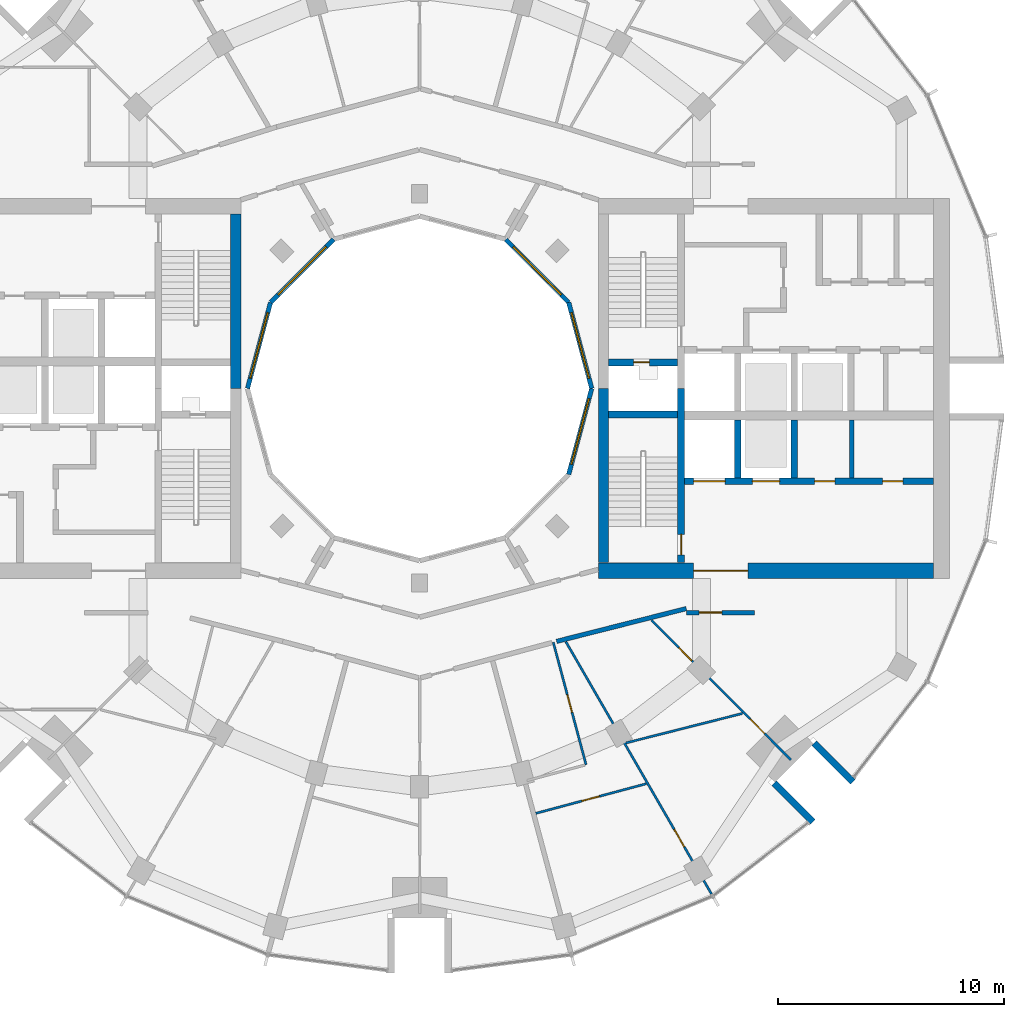
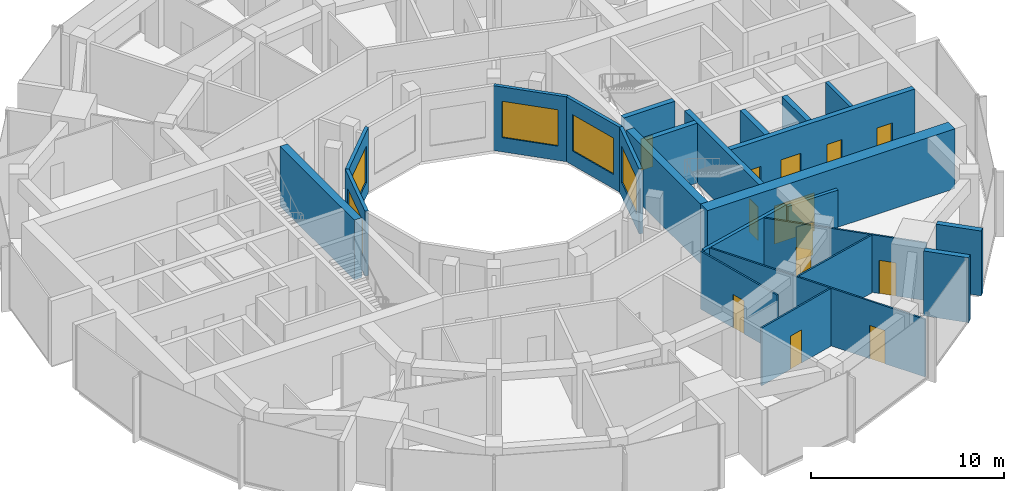
# One storey, part 10 of 15: 24 walls, 13 doors, 5 windows, 18 openings.
"""IFC4 building model written with IfcOpenShell, lengths in metres."""

import ifcopenshell
import ifcopenshell.guid

model = None  # the IFC model being written
_history = None  # IfcOwnerHistory: only IFC2X3 demands one
_inside = {}  # id of a spatial element -> (the spatial element, [elements in it])
_under = {}  # id of a project, library or spatial element -> (it, [spatial elements below it])
_declared = {}  # id of a project -> (the project, [libraries it declares])
_typed = {}  # id of a type object -> (the type object, [elements of that type])
_made_of = {}  # id of a material, layer set ... -> (it, [elements and type objects made of it])


def new_model(schema):
    """Start an empty IFC model of exactly this schema.

    Asked for "IFC4X3", IfcOpenShell would pick the latest addendum, in which some entities
    have other attributes; the version numbers below select the first issue.
    IFC2X3 requires an IfcOwnerHistory on every rooted entity: one is made here for all.
    """
    global model, _history
    if schema == "IFC4X3":
        model = ifcopenshell.file(schema_version=(4, 3, 0, 0))
    else:
        model = ifcopenshell.file(schema=schema)
    _inside.clear()
    _under.clear()
    _declared.clear()
    _typed.clear()
    _made_of.clear()
    _history = None
    if model.schema == "IFC2X3":
        org = make("IfcOrganization", Name="unknown")
        user = make(
            "IfcPersonAndOrganization",
            ThePerson=make("IfcPerson", FamilyName="unknown"),
            TheOrganization=org,
        )
        app = make(
            "IfcApplication",
            ApplicationDeveloper=org,
            Version="unknown",
            ApplicationFullName="unknown",
            ApplicationIdentifier="unknown",
        )
        _history = make(
            "IfcOwnerHistory",
            OwningUser=user,
            OwningApplication=app,
            ChangeAction="ADDED",
            CreationDate=0,
        )
    return model


def make(cls, **values):
    """One entity of the class cls with the attributes given. An attribute that is None is left unset."""
    return model.create_entity(
        cls, **{name: value for name, value in values.items() if value is not None}
    )


def rooted(cls, **values):
    """An entity with a GlobalId (a new one), such as an element, a storey or a relation."""
    return make(cls, GlobalId=ifcopenshell.guid.new(), OwnerHistory=_history, **values)


def si_unit(unit_type, name, prefix=None):
    """IfcSIUnit, for example si_unit("LENGTHUNIT", "METRE", prefix="MILLI")."""
    return make("IfcSIUnit", UnitType=unit_type, Prefix=prefix, Name=name)


def assignment(units):
    """IfcUnitAssignment: the units of a project."""
    return None if units is None else make("IfcUnitAssignment", Units=units)


def point(xyz):
    """IfcCartesianPoint."""
    return None if xyz is None else make("IfcCartesianPoint", Coordinates=xyz)


def direction(xyz):
    """IfcDirection."""
    return None if xyz is None else make("IfcDirection", DirectionRatios=xyz)


def frame(location, z_axis=None, x_axis=None):
    """IfcAxis2Placement3D, a coordinate frame: its origin and axes. An axis left out is left unset."""
    return make(
        "IfcAxis2Placement3D",
        Location=point(location),
        Axis=direction(z_axis),
        RefDirection=direction(x_axis),
    )


def frame_2d(location, x_axis=None):
    """IfcAxis2Placement2D, a coordinate frame in the plane: its origin and x axis."""
    return make(
        "IfcAxis2Placement2D", Location=point(location), RefDirection=direction(x_axis)
    )


def origin():
    """The frame at (0, 0, 0) with its axes left unset."""
    return frame((0.0, 0.0, 0.0))


def place(relative_to, where):
    """IfcLocalPlacement: puts the frame where relative to a parent placement (None: the world)."""
    return make(
        "IfcLocalPlacement", PlacementRelTo=relative_to, RelativePlacement=where
    )


def context(
    kind, dimensions, precision=None, world=None, true_north=None, identifier=None
):
    """IfcGeometricRepresentationContext, for example the 3D "Model" context."""
    return make(
        "IfcGeometricRepresentationContext",
        ContextIdentifier=identifier,
        ContextType=kind,
        CoordinateSpaceDimension=dimensions,
        Precision=precision,
        WorldCoordinateSystem=world,
        TrueNorth=true_north,
    )


def subcontext(parent, identifier, kind, view, scale=None):
    """IfcGeometricRepresentationSubContext, for example "Body" below "Model"."""
    return make(
        "IfcGeometricRepresentationSubContext",
        ContextIdentifier=identifier,
        ContextType=kind,
        ParentContext=parent,
        TargetScale=scale,
        TargetView=view,
    )


def project(units=None, contexts=None):
    """IfcProject with its units and contexts."""
    return rooted(
        "IfcProject",
        Name="project",
        RepresentationContexts=contexts,
        UnitsInContext=assignment(units),
    )


def spatial(cls, under=None, at=None, **own):
    """A site, building, storey or space (cls), placed at a placement, below another one or the project."""
    s = rooted(cls, ObjectPlacement=at, **own)
    if under is not None:
        _under.setdefault(under.id(), (under, []))[1].append(s)
    return s


def profile(cls, at=None, kind="AREA", **sizes):
    """A parametric profile (cls). Its sizes go by their IFC names, for example OverallWidth=200.0."""
    return make(cls, ProfileType=kind, Position=at, **sizes)


def rectangle(**sizes):
    """IfcRectangleProfileDef."""
    return profile("IfcRectangleProfileDef", **sizes)


def extrude(swept, where, along, depth):
    """IfcExtrudedAreaSolid: the profile swept, set in the frame where, extruded along a direction by depth."""
    return make(
        "IfcExtrudedAreaSolid",
        SweptArea=swept,
        Position=where,
        ExtrudedDirection=direction(along),
        Depth=depth,
    )


def shape(context_of_items, identifier, shape_type, items):
    """IfcShapeRepresentation: the items that make up one representation, for example the "Body"."""
    return make(
        "IfcShapeRepresentation",
        ContextOfItems=context_of_items,
        RepresentationIdentifier=identifier,
        RepresentationType=shape_type,
        Items=items,
    )


def material(Name=None, Category=None):
    """IfcMaterial."""
    return make("IfcMaterial", Name=Name, Category=Category)


def layer(
    of_material, thickness, ventilated=None, Name=None, Category=None, Priority=None
):
    """IfcMaterialLayer: one layer of a wall or slab, of a material (None: an air gap)."""
    return make(
        "IfcMaterialLayer",
        Material=of_material,
        LayerThickness=thickness,
        IsVentilated=ventilated,
        Name=Name,
        Category=Category,
        Priority=Priority,
    )


def layer_set(layers, Name=None):
    """IfcMaterialLayerSet."""
    return make("IfcMaterialLayerSet", MaterialLayers=layers, LayerSetName=Name)


def made_of(thing, what):
    """Note that an element or type object is made of a material, layer set ...; save() writes the relation."""
    if what is not None:
        _made_of.setdefault(what.id(), (what, []))[1].append(thing)
    return thing


def type_object(cls, material=None, **own):
    """A type object (cls), such as IfcWallType, which elements share."""
    return made_of(rooted(cls, **own), material)


def element(
    cls,
    number,
    at=None,
    inside=None,
    cuts=None,
    type_object=None,
    material=None,
    context=None,
    identifier="Body",
    shape_type=None,
    held_by="IfcProductDefinitionShape",
    body=None,
    shapes=None,
    **own,
):
    """One element of the class cls, such as IfcWall. Its Tag is "e" and its number.

    at: its placement. inside: the storey or other place that contains it. cuts: it is an
    opening in that element (IfcRelVoidsElement). A single representation is given by context,
    identifier, shape_type and body (its items); several are given by shapes. held_by: the class
    of the entity that holds the representations. save() writes the other relations.
    """
    e = rooted(cls, Tag="e%d" % number, ObjectPlacement=at, **own)
    if body is not None:
        shapes = [shape(context, identifier, shape_type, body)]
    if shapes is not None:
        e.Representation = make(held_by, Representations=shapes)
    if inside is not None:
        _inside.setdefault(inside.id(), (inside, []))[1].append(e)
    if cuts is not None:
        rooted(
            "IfcRelVoidsElement", RelatingBuildingElement=cuts, RelatedOpeningElement=e
        )
    if type_object is not None:
        _typed.setdefault(type_object.id(), (type_object, []))[1].append(e)
    return made_of(e, material)


def fill(opening, filler):
    """IfcRelFillsElement: the door or window that sits in an opening."""
    return rooted(
        "IfcRelFillsElement",
        RelatingOpeningElement=opening,
        RelatedBuildingElement=filler,
    )


def aggregate(whole, parts):
    """IfcRelAggregates: a whole, such as a stair, and the parts it consists of."""
    return rooted("IfcRelAggregates", RelatingObject=whole, RelatedObjects=parts)


def save(model, path):
    """Write the relations noted so far, then the file.

    IfcRelAggregates (storeys below a building ...), IfcRelContainedInSpatialStructure (elements
    in a storey), IfcRelDefinesByType, IfcRelAssociatesMaterial and IfcRelDeclares: one each for
    every whole, place, type object, material and project.
    """
    for whole, parts in _under.values():
        aggregate(whole, parts)
    for where, things in _inside.values():
        rooted(
            "IfcRelContainedInSpatialStructure",
            RelatedElements=things,
            RelatingStructure=where,
        )
    for kind, things in _typed.values():
        rooted("IfcRelDefinesByType", RelatedObjects=things, RelatingType=kind)
    for what, things in _made_of.values():
        rooted("IfcRelAssociatesMaterial", RelatedObjects=things, RelatingMaterial=what)
    for by, libraries in _declared.values():
        rooted("IfcRelDeclares", RelatingContext=by, RelatedDefinitions=libraries)
    model.write(path)


model = new_model("IFC4")

# Units and contexts
model_context = context("Model", 3, precision=1e-05, world=origin(), true_north=direction((0.0, 1.0)))
body_context = subcontext(model_context, "Body", "Model", "MODEL_VIEW")
ifc_project = project(units=[si_unit("LENGTHUNIT", "METRE"), si_unit("AREAUNIT", "SQUARE_METRE"), si_unit("VOLUMEUNIT", "CUBIC_METRE"), si_unit("PLANEANGLEUNIT", "RADIAN"), si_unit("MASSUNIT", "GRAM", prefix="KILO")], contexts=[model_context])

# Site, building, storey
site_placement = place(None, origin())
site = spatial("IfcSite", under=ifc_project, at=site_placement, CompositionType="ELEMENT")
building_placement = place(site_placement, origin())
building = spatial("IfcBuilding", under=site, at=building_placement, Name="Torre Brocal", CompositionType="ELEMENT")
storey_placement = place(building_placement, frame((0.0, 0.0, 170.0)))
storey = spatial("IfcBuildingStorey", under=building, at=storey_placement, Name="L39", CompositionType="ELEMENT", Elevation=170.0)

# Wall
ifc_material_1 = material(Name="Masonry block", Category="masonry")
ifc_layer_1 = layer(ifc_material_1, 0.199951171875)
ifc_layer_set_1 = layer_set([ifc_layer_1], Name="Masonry block")
wall_type_1 = type_object("IfcWallType", Name="CORE PARTITION 200", PredefinedType="PARTITIONING", material=ifc_layer_set_1)
wall_1_placement = place(storey_placement, frame((99.10009765625, 71.050048828125, 0.0), z_axis=(0.0, 0.0, 1.0), x_axis=(0.0, 1.0, 0.0)))
element("IfcWall", 1, at=wall_1_placement, inside=storey, type_object=wall_type_1, Name="Wall CP200", PredefinedType="PARTITIONING", context=body_context, shape_type="SweptSolid", body=[
    extrude(rectangle(XDim=2.550048828125, YDim=0.199951171875, at=frame_2d((1.27490234375, 0.0))), origin(), (0.0, 0.0, 1.0), 3.780029296875),
])

# Wall, opening, door
ifc_material_2 = material(Name="Concrete C70", Category="concrete")
ifc_layer_2 = layer(ifc_material_2, 0.300048828125)
ifc_layer_set_2 = layer_set([ifc_layer_2], Name="Concrete C70")
wall_type_2 = type_object("IfcWallType", Name="CORE WALL 300 C70", PredefinedType="SHEAR", material=ifc_layer_set_2)
wall_2_placement = place(storey_placement, frame((91.550048828125, 67.300048828125, 0.0), z_axis=(0.0, 0.0, 1.0), x_axis=(0.0, 1.0, 0.0)))
wall_2 = element("IfcWall", 2, at=wall_2_placement, inside=storey, type_object=wall_type_2, Name="Wall CW300-70", PredefinedType="SHEAR", context=body_context, shape_type="SweptSolid", body=[
    extrude(rectangle(XDim=7.699951171875, YDim=0.300048828125, at=frame_2d((3.85009765625, 0.0))), origin(), (0.0, 0.0, 1.0), 3.780029296875),
])
opening_1_placement = place(wall_2_placement, frame((0.35009765625, 0.0, 0.0)))
opening_1 = element("IfcOpeningElement", 3, at=opening_1_placement, cuts=wall_2, Name="Opening E-D03", PredefinedType="OPENING", context=body_context, shape_type="SweptSolid", body=[
    extrude(rectangle(XDim=0.89990234375, YDim=2.10009765625, at=frame_2d((0.449951171875, 1.050048828125))), frame((0.0, 0.159912109375, 0.0), z_axis=(0.0, -1.0, 0.0), x_axis=(1.0, 0.0, 0.0)), (0.0, 0.0, 1.0), 0.320068359375),
])
ifc_material_3 = material(Name="Steel A653", Category="steel")
door_type_1 = type_object("IfcDoorType", Name="STAIR DOOR FD120 900X2100", OperationType="SINGLE_SWING_RIGHT", PredefinedType="DOOR", material=ifc_material_3)
door_1_placement = place(opening_1_placement, origin())
door_1 = element("IfcDoor", 4, at=door_1_placement, inside=storey, type_object=door_type_1, Name="Door E-D03", OperationType="SINGLE_SWING_LEFT", OverallHeight=2.10009765625, OverallWidth=0.89990234375, PredefinedType="DOOR", context=body_context, shape_type="SweptSolid", body=[
    extrude(rectangle(XDim=0.89990234375, YDim=2.10009765625, at=frame_2d((0.449951171875, 1.050048828125))), frame((0.0, 0.02490234375, 0.0), z_axis=(0.0, -1.0, 0.0), x_axis=(1.0, 0.0, 0.0)), (0.0, 0.0, 1.0), 0.050048828125),
])
fill(opening_1, door_1)

wall_3_placement = place(storey_placement, frame((88.35009765625, 76.14990234375, 0.0), z_axis=(0.0, 0.0, 1.0), x_axis=(1.0, 0.0, 0.0)))
wall_3 = element("IfcWall", 5, at=wall_3_placement, inside=storey, type_object=wall_type_2, Name="Wall CW300-70", PredefinedType="SHEAR", context=body_context, shape_type="SweptSolid", body=[
    extrude(rectangle(XDim=3.0498046875, YDim=0.300048828125, at=frame_2d((1.52490234375, 0.0))), origin(), (0.0, 0.0, 1.0), 3.780029296875),
])
opening_2_placement = place(wall_3_placement, frame((1.10009765625, 0.0, 0.0)))
opening_2 = element("IfcOpeningElement", 6, at=opening_2_placement, cuts=wall_3, Name="Opening E-D01", PredefinedType="OPENING", context=body_context, shape_type="SweptSolid", body=[
    extrude(rectangle(XDim=0.699951171875, YDim=2.0, at=frame_2d((0.35009765625, 1.0))), frame((0.0, 0.159912109375, 0.0), z_axis=(0.0, -1.0, 0.0), x_axis=(1.0, 0.0, 0.0)), (0.0, 0.0, 1.0), 0.320068359375),
])
ifc_material_4 = material(Name="Steel A653", Category="steel")
door_type_2 = type_object("IfcDoorType", Name="RISER DOOR FD120 700X2000", OperationType="SINGLE_SWING_LEFT", PredefinedType="DOOR", material=ifc_material_4)
door_2_placement = place(opening_2_placement, frame((0.699951171875, 0.0, 0.0), z_axis=(0.0, 0.0, 1.0), x_axis=(-1.0, 0.0, 0.0)))
door_2 = element("IfcDoor", 7, at=door_2_placement, inside=storey, type_object=door_type_2, Name="Door E-D01", OperationType="SINGLE_SWING_RIGHT", OverallHeight=2.0, OverallWidth=0.699951171875, PredefinedType="DOOR", context=body_context, shape_type="SweptSolid", body=[
    extrude(rectangle(XDim=0.699951171875, YDim=2.0, at=frame_2d((0.35009765625, 1.0))), frame((0.0, 0.02490234375, 0.0), z_axis=(0.0, -1.0, 0.0), x_axis=(1.0, 0.0, 0.0)), (0.0, 0.0, 1.0), 0.050048828125),
])
fill(opening_2, door_2)

# Wall
wall_4_placement = place(storey_placement, frame((88.35009765625, 73.85009765625, 0.0), z_axis=(0.0, 0.0, 1.0), x_axis=(1.0, 0.0, 0.0)))
element("IfcWall", 8, at=wall_4_placement, inside=storey, type_object=wall_type_2, Name="Wall CW300-70", PredefinedType="SHEAR", context=body_context, shape_type="SweptSolid", body=[
    extrude(rectangle(XDim=3.0498046875, YDim=0.300048828125, at=frame_2d((1.52490234375, 0.0))), origin(), (0.0, 0.0, 1.0), 3.780029296875),
])

# Wall, openings, doors
wall_5_placement = place(storey_placement, frame((91.699951171875, 70.89990234375, 0.0), z_axis=(0.0, 0.0, 1.0), x_axis=(1.0, 0.0, 0.0)))
wall_5 = element("IfcWall", 9, at=wall_5_placement, inside=storey, type_object=wall_type_2, Name="Wall CW300-70", PredefinedType="SHEAR", context=body_context, shape_type="SweptSolid", body=[
    extrude(rectangle(XDim=11.0, YDim=0.300048828125, at=frame_2d((5.5, 0.0))), origin(), (0.0, 0.0, 1.0), 3.780029296875),
])
opening_3_placement = place(wall_5_placement, frame((0.39990234375, 0.0, 0.0)))
opening_3 = element("IfcOpeningElement", 10, at=opening_3_placement, cuts=wall_5, Name="Opening LD14", PredefinedType="OPENING", context=body_context, shape_type="SweptSolid", body=[
    extrude(rectangle(XDim=1.39990234375, YDim=2.10009765625, at=frame_2d((0.699951171875, 1.050048828125))), frame((0.0, 0.159912109375, 0.0), z_axis=(0.0, -1.0, 0.0), x_axis=(1.0, 0.0, 0.0)), (0.0, 0.0, 1.0), 0.320068359375),
])
opening_4_placement = place(wall_5_placement, frame((3.0, 0.0, 0.0)))
opening_4 = element("IfcOpeningElement", 11, at=opening_4_placement, cuts=wall_5, Name="Opening LD12", PredefinedType="OPENING", context=body_context, shape_type="SweptSolid", body=[
    extrude(rectangle(XDim=1.199951171875, YDim=2.10009765625, at=frame_2d((0.60009765625, 1.050048828125))), frame((0.0, 0.159912109375, 0.0), z_axis=(0.0, -1.0, 0.0), x_axis=(1.0, 0.0, 0.0)), (0.0, 0.0, 1.0), 0.320068359375),
])
opening_5_placement = place(wall_5_placement, frame((5.75, 0.0, 0.0)))
opening_5 = element("IfcOpeningElement", 12, at=opening_5_placement, cuts=wall_5, Name="Opening E-D06", PredefinedType="OPENING", context=body_context, shape_type="SweptSolid", body=[
    extrude(rectangle(XDim=0.89990234375, YDim=2.10009765625, at=frame_2d((0.449951171875, 1.050048828125))), frame((0.0, 0.159912109375, 0.0), z_axis=(0.0, -1.0, 0.0), x_axis=(1.0, 0.0, 0.0)), (0.0, 0.0, 1.0), 0.320068359375),
])
opening_6_placement = place(wall_5_placement, frame((8.75, 0.0, 0.0)))
opening_6 = element("IfcOpeningElement", 13, at=opening_6_placement, cuts=wall_5, Name="Opening E-D07", PredefinedType="OPENING", context=body_context, shape_type="SweptSolid", body=[
    extrude(rectangle(XDim=0.89990234375, YDim=2.10009765625, at=frame_2d((0.449951171875, 1.050048828125))), frame((0.0, 0.159912109375, 0.0), z_axis=(0.0, -1.0, 0.0), x_axis=(1.0, 0.0, 0.0)), (0.0, 0.0, 1.0), 0.320068359375),
])
ifc_material_5 = material(Name="Stainless steel AISI 316", Category="steel")
door_type_3 = type_object("IfcDoorType", Name="LIFT LANDING DOOR 1200X2100", OperationType="DOUBLE_DOOR_SLIDING", PredefinedType="DOOR", material=ifc_material_5)
door_3_placement = place(opening_4_placement, origin())
door_3 = element("IfcDoor", 14, at=door_3_placement, inside=storey, type_object=door_type_3, Name="Door LD12", OperationType="DOUBLE_DOOR_SLIDING", OverallHeight=2.10009765625, OverallWidth=1.199951171875, PredefinedType="DOOR", context=body_context, shape_type="SweptSolid", body=[
    extrude(rectangle(XDim=1.199951171875, YDim=2.10009765625, at=frame_2d((0.60009765625, 1.050048828125))), frame((0.0, 0.02490234375, 0.0), z_axis=(0.0, -1.0, 0.0), x_axis=(1.0, 0.0, 0.0)), (0.0, 0.0, 1.0), 0.050048828125),
])
fill(opening_4, door_3)
ifc_material_6 = material(Name="Stainless steel AISI 316", Category="steel")
door_type_4 = type_object("IfcDoorType", Name="LIFT LANDING DOOR 1400X2100", OperationType="DOUBLE_DOOR_SLIDING", PredefinedType="DOOR", material=ifc_material_6)
door_4_placement = place(opening_3_placement, origin())
door_4 = element("IfcDoor", 15, at=door_4_placement, inside=storey, type_object=door_type_4, Name="Door LD14", OperationType="DOUBLE_DOOR_SLIDING", OverallHeight=2.10009765625, OverallWidth=1.39990234375, PredefinedType="DOOR", context=body_context, shape_type="SweptSolid", body=[
    extrude(rectangle(XDim=1.39990234375, YDim=2.10009765625, at=frame_2d((0.699951171875, 1.050048828125))), frame((0.0, 0.02490234375, 0.0), z_axis=(0.0, -1.0, 0.0), x_axis=(1.0, 0.0, 0.0)), (0.0, 0.0, 1.0), 0.050048828125),
])
fill(opening_3, door_4)
ifc_material_7 = material(Name="Steel A653", Category="steel")
door_type_5 = type_object("IfcDoorType", Name="ROOM DOOR FD30S 900X2100", OperationType="SINGLE_SWING_LEFT", PredefinedType="DOOR", material=ifc_material_7)
door_5_placement = place(opening_5_placement, origin())
door_5 = element("IfcDoor", 16, at=door_5_placement, inside=storey, type_object=door_type_5, Name="Door E-D06", OperationType="SINGLE_SWING_RIGHT", OverallHeight=2.10009765625, OverallWidth=0.89990234375, PredefinedType="DOOR", context=body_context, shape_type="SweptSolid", body=[
    extrude(rectangle(XDim=0.89990234375, YDim=2.10009765625, at=frame_2d((0.449951171875, 1.050048828125))), frame((0.0, 0.02490234375, 0.0), z_axis=(0.0, -1.0, 0.0), x_axis=(1.0, 0.0, 0.0)), (0.0, 0.0, 1.0), 0.050048828125),
])
fill(opening_5, door_5)
door_6_placement = place(opening_6_placement, origin())
door_6 = element("IfcDoor", 17, at=door_6_placement, inside=storey, type_object=door_type_5, Name="Door E-D07", OperationType="SINGLE_SWING_LEFT", OverallHeight=2.10009765625, OverallWidth=0.89990234375, PredefinedType="DOOR", context=body_context, shape_type="SweptSolid", body=[
    extrude(rectangle(XDim=0.89990234375, YDim=2.10009765625, at=frame_2d((0.449951171875, 1.050048828125))), frame((0.0, 0.02490234375, 0.0), z_axis=(0.0, -1.0, 0.0), x_axis=(1.0, 0.0, 0.0)), (0.0, 0.0, 1.0), 0.050048828125),
])
fill(opening_6, door_6)

# Walls
for number, where, z_axis, x_axis, name in (
    (18, (94.050048828125, 71.050048828125, 0.0), (0.0, 0.0, 1.0), (0.0, 1.0, 0.0), "Wall CW300-70"),
    (19, (96.550048828125, 71.050048828125, 0.0), (0.0, 0.0, 1.0), (0.0, 1.0, 0.0), "Wall CW300-70"),
):
    element("IfcWall", number, at=place(storey_placement, frame(where, z_axis=z_axis, x_axis=x_axis)), inside=storey, type_object=wall_type_2, Name=name, PredefinedType="SHEAR", context=body_context, shape_type="SweptSolid", body=[
        extrude(rectangle(XDim=2.550048828125, YDim=0.300048828125, at=frame_2d((1.27490234375, 0.0))), origin(), (0.0, 0.0, 1.0), 3.780029296875),
    ])
ifc_material_8 = material(Name="Concrete C70", Category="concrete")
ifc_layer_3 = layer(ifc_material_8, 0.449951171875)
ifc_layer_set_3 = layer_set([ifc_layer_3], Name="Concrete C70")
wall_type_3 = type_object("IfcWallType", Name="CORE WALL 450 C70", PredefinedType="SHEAR", material=ifc_layer_set_3)
for number, where, z_axis, x_axis, name in (
    (20, (88.125, 67.300048828125, 0.0), (0.0, 0.0, 1.0), (0.0, 1.0, 0.0), "Wall CW450-70"),
    (21, (71.875, 82.699951171875, 0.0), (0.0, 0.0, 1.0), (0.0, -1.0, 0.0), "Wall CW450-70"),
):
    element("IfcWall", number, at=place(storey_placement, frame(where, z_axis=z_axis, x_axis=x_axis)), inside=storey, type_object=wall_type_3, Name=name, PredefinedType="SHEAR", context=body_context, shape_type="SweptSolid", body=[
        extrude(rectangle(XDim=7.699951171875, YDim=0.449951171875, at=frame_2d((3.85009765625, 0.0))), origin(), (0.0, 0.0, 1.0), 3.780029296875),
    ])

# Wall, opening, door
ifc_material_9 = material(Name="Concrete C70", Category="concrete")
ifc_layer_4 = layer(ifc_material_9, 0.699951171875)
ifc_layer_set_4 = layer_set([ifc_layer_4], Name="Concrete C70")
wall_type_4 = type_object("IfcWallType", Name="CORE WALL 700 C70", PredefinedType="SHEAR", material=ifc_layer_set_4)
wall_6_placement = place(storey_placement, frame((87.89990234375, 66.949951171875, 0.0), z_axis=(0.0, 0.0, 1.0), x_axis=(1.0, 0.0, 0.0)))
wall_6 = element("IfcWall", 22, at=wall_6_placement, inside=storey, type_object=wall_type_4, Name="Wall CW700-70", PredefinedType="SHEAR", context=body_context, shape_type="SweptSolid", body=[
    extrude(rectangle(XDim=14.800048828125, YDim=0.699951171875, at=frame_2d((7.39990234375, 0.0))), origin(), (0.0, 0.0, 1.0), 3.780029296875),
])
opening_7_placement = place(wall_6_placement, frame((4.199951171875, 0.0, 0.0)))
opening_7 = element("IfcOpeningElement", 23, at=opening_7_placement, cuts=wall_6, Name="Opening E-D13", PredefinedType="OPENING", context=body_context, shape_type="SweptSolid", body=[
    extrude(rectangle(XDim=2.39990234375, YDim=2.39990234375, at=frame_2d((1.199951171875, 1.199951171875))), frame((0.0, 0.35986328125, 0.0), z_axis=(0.0, -1.0, 0.0), x_axis=(1.0, 0.0, 0.0)), (0.0, 0.0, 1.0), 0.719970703125),
])
ifc_material_10 = material(Name="Steel A653", Category="steel")
door_type_6 = type_object("IfcDoorType", Name="DOUBLE FIRE DOOR FD90 2400X2400", OperationType="DOUBLE_DOOR_SINGLE_SWING", PredefinedType="DOOR", material=ifc_material_10)
door_7_placement = place(opening_7_placement, origin())
door_7 = element("IfcDoor", 24, at=door_7_placement, inside=storey, type_object=door_type_6, Name="Door E-D13", OperationType="DOUBLE_DOOR_SINGLE_SWING", OverallHeight=2.39990234375, OverallWidth=2.39990234375, PredefinedType="DOOR", context=body_context, shape_type="SweptSolid", body=[
    extrude(rectangle(XDim=2.39990234375, YDim=2.39990234375, at=frame_2d((1.199951171875, 1.199951171875))), frame((0.0, 0.02490234375, 0.0), z_axis=(0.0, -1.0, 0.0), x_axis=(1.0, 0.0, 0.0)), (0.0, 0.0, 1.0), 0.050048828125),
])
fill(opening_7, door_7)

# Walls
ifc_material_11 = material(Name="Concrete C70", Category="concrete")
ifc_layer_5 = layer(ifc_material_11, 0.300048828125)
ifc_layer_set_5 = layer_set([ifc_layer_5], Name="Concrete C70")
wall_type_5 = type_object("IfcWallType", Name="NOTCH RETURN WALL 300 C70", PredefinedType="NOTDEFINED", material=ifc_layer_set_5)
for number, where, z_axis, x_axis, name in (
    (25, (95.662353515625, 57.56982421875, 0.0), (0.0, 0.0, 1.0), (0.707106781187, -0.707106781187, 0.0), "NOTCH RETURN WALL"),
    (26, (97.43017578125, 59.337646484375, 0.0), (0.0, 0.0, 1.0), (0.707106781187, -0.707106781187, 0.0), "NOTCH RETURN WALL"),
):
    element("IfcWall", number, at=place(storey_placement, frame(where, z_axis=z_axis, x_axis=x_axis)), inside=storey, type_object=wall_type_5, Name=name, PredefinedType="NOTDEFINED", context=body_context, shape_type="SweptSolid", body=[
        extrude(rectangle(XDim=2.415771484375, YDim=0.300048828125, at=frame_2d((1.2080078125, 0.0))), origin(), (0.0, 0.0, 1.0), 4.10009765625),
    ])

# Wall, opening, door
ifc_material_12 = material(Name="Gypsum board", Category="Gypsum")
ifc_layer_6 = layer(ifc_material_12, 0.10009765625)
ifc_layer_set_6 = layer_set([ifc_layer_6], Name="Gypsum board")
wall_type_6 = type_object("IfcWallType", Name="PARTITION 100", PredefinedType="PARTITIONING", material=ifc_layer_set_6)
wall_7_placement = place(storey_placement, frame((85.133544921875, 56.22900390625, 0.0), z_axis=(0.0, 0.0, 1.0), x_axis=(0.965894130068, 0.258937308051, 0.0)))
wall_7 = element("IfcWall", 27, at=wall_7_placement, inside=storey, type_object=wall_type_6, Name="BATHROOM WALL", PredefinedType="PARTITIONING", context=body_context, shape_type="SweptSolid", body=[
    extrude(rectangle(XDim=5.0537109375, YDim=0.10009765625, at=frame_2d((2.52685546875, 0.0))), origin(), (0.0, 0.0, 1.0), 3.64990234375),
])
opening_8_placement = place(wall_7_placement, frame((2.10693359375, 0.0, 0.0)))
opening_8 = element("IfcOpeningElement", 28, at=opening_8_placement, cuts=wall_7, Name="Opening R02-D24", PredefinedType="OPENING", context=body_context, shape_type="SweptSolid", body=[
    extrude(rectangle(XDim=0.800048828125, YDim=2.10009765625, at=frame_2d((0.39990234375, 1.050048828125))), frame((0.0, 0.06005859375, 0.0), z_axis=(0.0, -1.0, 0.0), x_axis=(1.0, 0.0, 0.0)), (0.0, 0.0, 1.0), 0.1201171875),
])
ifc_material_13 = material(Name="Timber", Category="wood")
door_type_7 = type_object("IfcDoorType", Name="BATHROOM DOOR 800X2100", OperationType="SINGLE_SWING_LEFT", PredefinedType="DOOR", material=ifc_material_13)
door_8_placement = place(opening_8_placement, frame((0.800048828125, 0.0, 0.0), z_axis=(0.0, 0.0, 1.0), x_axis=(-1.0, 0.0, 0.0)))
door_8 = element("IfcDoor", 29, at=door_8_placement, inside=storey, type_object=door_type_7, Name="R02-D24", OperationType="SINGLE_SWING_RIGHT", OverallHeight=2.10009765625, OverallWidth=0.800048828125, PredefinedType="DOOR", context=body_context, shape_type="SweptSolid", body=[
    extrude(rectangle(XDim=0.800048828125, YDim=2.10009765625, at=frame_2d((0.39990234375, 1.050048828125))), frame((0.0, 0.02490234375, 0.0), z_axis=(0.0, -1.0, 0.0), x_axis=(1.0, 0.0, 0.0)), (0.0, 0.0, 1.0), 0.050048828125),
])
fill(opening_8, door_8)

wall_8_placement = place(storey_placement, frame((85.904052734375, 63.785888671875, 0.0), z_axis=(0.0, 0.0, 1.0), x_axis=(0.258761510459, -0.965941240814, 0.0)))
wall_8 = element("IfcWall", 30, at=wall_8_placement, inside=storey, type_object=wall_type_6, Name="BATHROOM WALL", PredefinedType="PARTITIONING", context=body_context, shape_type="SweptSolid", body=[
    extrude(rectangle(XDim=5.599609375, YDim=0.10009765625, at=frame_2d((2.7998046875, 0.0))), origin(), (0.0, 0.0, 1.0), 3.64990234375),
])
opening_9_placement = place(wall_8_placement, frame((2.39990234375, 0.0, 0.0)))
opening_9 = element("IfcOpeningElement", 31, at=opening_9_placement, cuts=wall_8, Name="Opening R02-D23", PredefinedType="OPENING", context=body_context, shape_type="SweptSolid", body=[
    extrude(rectangle(XDim=0.800048828125, YDim=2.10009765625, at=frame_2d((0.39990234375, 1.050048828125))), frame((0.0, 0.06005859375, 0.0), z_axis=(0.0, -1.0, 0.0), x_axis=(1.0, 0.0, 0.0)), (0.0, 0.0, 1.0), 0.1201171875),
])
door_9_placement = place(opening_9_placement, frame((0.800048828125, 0.0, 0.0), z_axis=(0.0, 0.0, 1.0), x_axis=(-1.0, 0.0, 0.0)))
door_9 = element("IfcDoor", 32, at=door_9_placement, inside=storey, type_object=door_type_7, Name="R02-D23", OperationType="SINGLE_SWING_RIGHT", OverallHeight=2.10009765625, OverallWidth=0.800048828125, PredefinedType="DOOR", context=body_context, shape_type="SweptSolid", body=[
    extrude(rectangle(XDim=0.800048828125, YDim=2.10009765625, at=frame_2d((0.39990234375, 1.050048828125))), frame((0.0, 0.02490234375, 0.0), z_axis=(0.0, -1.0, 0.0), x_axis=(1.0, 0.0, 0.0)), (0.0, 0.0, 1.0), 0.050048828125),
])
fill(opening_9, door_9)

wall_9_placement = place(storey_placement, frame((86.461181640625, 63.81005859375, 0.0), z_axis=(0.0, 0.0, 1.0), x_axis=(0.49994840431, -0.866055190521, 0.0)))
wall_9 = element("IfcWall", 33, at=wall_9_placement, inside=storey, type_object=wall_type_6, Name="BATHROOM WALL", PredefinedType="PARTITIONING", context=body_context, shape_type="SweptSolid", body=[
    extrude(rectangle(XDim=12.876220703125, YDim=0.10009765625, at=frame_2d((6.43798828125, 0.0))), origin(), (0.0, 0.0, 1.0), 3.64990234375),
])
opening_10_placement = place(wall_9_placement, frame((9.565185546875, 0.0, 0.0)))
opening_10 = element("IfcOpeningElement", 34, at=opening_10_placement, cuts=wall_9, Name="Opening R02-D22", PredefinedType="OPENING", context=body_context, shape_type="SweptSolid", body=[
    extrude(rectangle(XDim=0.89990234375, YDim=2.10009765625, at=frame_2d((0.449951171875, 1.050048828125))), frame((0.0, 0.06005859375, 0.0), z_axis=(0.0, -1.0, 0.0), x_axis=(1.0, 0.0, 0.0)), (0.0, 0.0, 1.0), 0.1201171875),
])
ifc_material_14 = material(Name="Timber", Category="wood")
door_type_8 = type_object("IfcDoorType", Name="ROOM DOOR 900X2100", OperationType="SINGLE_SWING_LEFT", PredefinedType="DOOR", material=ifc_material_14)
door_10_placement = place(opening_10_placement, origin())
door_10 = element("IfcDoor", 35, at=door_10_placement, inside=storey, type_object=door_type_8, Name="R02-D22", OperationType="SINGLE_SWING_RIGHT", OverallHeight=2.10009765625, OverallWidth=0.89990234375, PredefinedType="DOOR", context=body_context, shape_type="SweptSolid", body=[
    extrude(rectangle(XDim=0.89990234375, YDim=2.10009765625, at=frame_2d((0.449951171875, 1.050048828125))), frame((0.0, 0.02490234375, 0.0), z_axis=(0.0, -1.0, 0.0), x_axis=(1.0, 0.0, 0.0)), (0.0, 0.0, 1.0), 0.050048828125),
])
fill(opening_10, door_10)

# Wall
wall_10_placement = place(storey_placement, frame((89.109130859375, 59.338623046875, 0.0), z_axis=(0.0, 0.0, 1.0), x_axis=(0.969449434389, 0.245291243552, 0.0)))
element("IfcWall", 36, at=wall_10_placement, inside=storey, type_object=wall_type_6, Name="BATHROOM WALL", PredefinedType="PARTITIONING", context=body_context, shape_type="SweptSolid", body=[
    extrude(rectangle(XDim=5.31396484375, YDim=0.10009765625, at=frame_2d((2.656982421875, 0.0))), origin(), (0.0, 0.0, 1.0), 3.64990234375),
])

# Wall, openings, doors
wall_11_placement = place(storey_placement, frame((90.238037109375, 64.760009765625, 0.0), z_axis=(0.0, 0.0, 1.0), x_axis=(0.707022780144, -0.707190772251, 0.0)))
wall_11 = element("IfcWall", 37, at=wall_11_placement, inside=storey, type_object=wall_type_6, Name="BATHROOM WALL", PredefinedType="PARTITIONING", context=body_context, shape_type="SweptSolid", body=[
    extrude(rectangle(XDim=8.7197265625, YDim=0.10009765625, at=frame_2d((4.35986328125, 0.0))), origin(), (0.0, 0.0, 1.0), 3.64990234375),
])
opening_11_placement = place(wall_11_placement, frame((6.172119140625, 0.0, 0.0)))
opening_11 = element("IfcOpeningElement", 38, at=opening_11_placement, cuts=wall_11, Name="Opening R02-D20", PredefinedType="OPENING", context=body_context, shape_type="SweptSolid", body=[
    extrude(rectangle(XDim=0.89990234375, YDim=2.10009765625, at=frame_2d((0.449951171875, 1.050048828125))), frame((0.0, 0.06005859375, 0.0), z_axis=(0.0, -1.0, 0.0), x_axis=(1.0, 0.0, 0.0)), (0.0, 0.0, 1.0), 0.1201171875),
])
opening_12_placement = place(wall_11_placement, frame((1.722412109375, 0.0, 0.0)))
opening_12 = element("IfcOpeningElement", 39, at=opening_12_placement, cuts=wall_11, Name="Opening R02-D21", PredefinedType="OPENING", context=body_context, shape_type="SweptSolid", body=[
    extrude(rectangle(XDim=0.800048828125, YDim=2.10009765625, at=frame_2d((0.39990234375, 1.050048828125))), frame((0.0, 0.06005859375, 0.0), z_axis=(0.0, -1.0, 0.0), x_axis=(1.0, 0.0, 0.0)), (0.0, 0.0, 1.0), 0.1201171875),
])
door_11_placement = place(opening_12_placement, frame((0.800048828125, 0.0, 0.0), z_axis=(0.0, 0.0, 1.0), x_axis=(-1.0, 0.0, 0.0)))
door_11 = element("IfcDoor", 40, at=door_11_placement, inside=storey, type_object=door_type_7, Name="R02-D21", OperationType="SINGLE_SWING_RIGHT", OverallHeight=2.10009765625, OverallWidth=0.800048828125, PredefinedType="DOOR", context=body_context, shape_type="SweptSolid", body=[
    extrude(rectangle(XDim=0.800048828125, YDim=2.10009765625, at=frame_2d((0.39990234375, 1.050048828125))), frame((0.0, 0.02490234375, 0.0), z_axis=(0.0, -1.0, 0.0), x_axis=(1.0, 0.0, 0.0)), (0.0, 0.0, 1.0), 0.050048828125),
])
fill(opening_12, door_11)
door_12_placement = place(opening_11_placement, origin())
door_12 = element("IfcDoor", 41, at=door_12_placement, inside=storey, type_object=door_type_8, Name="R02-D20", OperationType="SINGLE_SWING_RIGHT", OverallHeight=2.10009765625, OverallWidth=0.89990234375, PredefinedType="DOOR", context=body_context, shape_type="SweptSolid", body=[
    extrude(rectangle(XDim=0.89990234375, YDim=2.10009765625, at=frame_2d((0.449951171875, 1.050048828125))), frame((0.0, 0.02490234375, 0.0), z_axis=(0.0, -1.0, 0.0), x_axis=(1.0, 0.0, 0.0)), (0.0, 0.0, 1.0), 0.050048828125),
])
fill(opening_11, door_12)

# Wall
ifc_material_15 = material(Name="Gypsum board", Category="Gypsum")
ifc_layer_7 = layer(ifc_material_15, 0.199951171875)
ifc_layer_set_7 = layer_set([ifc_layer_7], Name="Gypsum board")
wall_type_7 = type_object("IfcWallType", Name="PARTITION 200 EI60", PredefinedType="PARTITIONING", material=ifc_layer_set_7)
wall_12_placement = place(storey_placement, frame((86.052978515625, 63.826171875, 0.0), z_axis=(0.0, 0.0, 1.0), x_axis=(0.969490004987, 0.245130843083, 0.0)))
element("IfcWall", 42, at=wall_12_placement, inside=storey, type_object=wall_type_7, Name="FLAT ENTRANCE WALL", PredefinedType="PARTITIONING", context=body_context, shape_type="SweptSolid", body=[
    extrude(rectangle(XDim=5.907958984375, YDim=0.199951171875, at=frame_2d((2.9541015625, 0.0))), origin(), (0.0, 0.0, 1.0), 3.64990234375),
])

# Wall, opening, door
wall_13_placement = place(storey_placement, frame((91.800048828125, 65.10009765625, 0.0), z_axis=(0.0, 0.0, 1.0), x_axis=(1.0, 0.0, 0.0)))
wall_13 = element("IfcWall", 43, at=wall_13_placement, inside=storey, type_object=wall_type_7, Name="FLAT ENTRANCE WALL", PredefinedType="PARTITIONING", context=body_context, shape_type="SweptSolid", body=[
    extrude(rectangle(XDim=3.0, YDim=0.199951171875, at=frame_2d((1.5, 0.0))), origin(), (0.0, 0.0, 1.0), 3.64990234375),
])
opening_13_placement = place(wall_13_placement, frame((0.550048828125, 0.0, 0.0)))
opening_13 = element("IfcOpeningElement", 44, at=opening_13_placement, cuts=wall_13, Name="Opening R02-D19", PredefinedType="OPENING", context=body_context, shape_type="SweptSolid", body=[
    extrude(rectangle(XDim=1.0, YDim=2.10009765625, at=frame_2d((0.5, 1.050048828125))), frame((0.0, 0.10986328125, 0.0), z_axis=(0.0, -1.0, 0.0), x_axis=(1.0, 0.0, 0.0)), (0.0, 0.0, 1.0), 0.219970703125),
])
ifc_material_16 = material(Name="Timber", Category="wood")
door_type_9 = type_object("IfcDoorType", Name="FLAT ENTRY DOOR FD30S 1000X2100", OperationType="SINGLE_SWING_RIGHT", PredefinedType="DOOR", material=ifc_material_16)
door_13_placement = place(opening_13_placement, frame((1.0, 0.0, 0.0), z_axis=(0.0, 0.0, 1.0), x_axis=(-1.0, 0.0, 0.0)))
door_13 = element("IfcDoor", 45, at=door_13_placement, inside=storey, type_object=door_type_9, Name="R02-D19", OperationType="SINGLE_SWING_RIGHT", OverallHeight=2.10009765625, OverallWidth=1.0, PredefinedType="DOOR", context=body_context, shape_type="SweptSolid", body=[
    extrude(rectangle(XDim=1.0, YDim=2.10009765625, at=frame_2d((0.5, 1.050048828125))), frame((0.0, 0.02490234375, 0.0), z_axis=(0.0, -1.0, 0.0), x_axis=(1.0, 0.0, 0.0)), (0.0, 0.0, 1.0), 0.050048828125),
])
fill(opening_13, door_13)

# Wall, opening, window
ifc_material_17 = material(Name="Concrete C40", Category="concrete")
ifc_layer_8 = layer(ifc_material_17, 0.199951171875)
ifc_layer_set_8 = layer_set([ifc_layer_8], Name="Concrete C40")
wall_type_8 = type_object("IfcWallType", Name="WELL FACADE WALL 200", PredefinedType="NOTDEFINED", material=ifc_layer_set_8)
wall_14_placement = place(storey_placement, frame((87.603515625, 75.0, 0.0), z_axis=(0.0, 0.0, 1.0), x_axis=(-0.258789828301, 0.965933654434, 0.0)))
wall_14 = element("IfcWall", 46, at=wall_14_placement, inside=storey, type_object=wall_type_8, Name="WELL FACADE WALL", PredefinedType="NOTDEFINED", context=body_context, shape_type="SweptSolid", body=[
    extrude(rectangle(XDim=3.935791015625, YDim=0.199951171875, at=frame_2d((1.9677734375, 0.0))), origin(), (0.0, 0.0, 1.0), 4.10009765625),
])
opening_14_placement = place(wall_14_placement, frame((0.468017578125, 0.0, 0.89990234375)))
opening_14 = element("IfcOpeningElement", 47, at=opening_14_placement, cuts=wall_14, Name="Opening W1", PredefinedType="OPENING", context=body_context, shape_type="SweptSolid", body=[
    extrude(rectangle(XDim=3.0, YDim=2.300048828125, at=frame_2d((1.5, 1.14990234375))), frame((0.0, 0.10986328125, 0.0), z_axis=(0.0, -1.0, 0.0), x_axis=(1.0, 0.0, 0.0)), (0.0, 0.0, 1.0), 0.219970703125),
])
ifc_material_18 = material(Name="Aluminium and glass", Category="aluminium")
window_type = type_object("IfcWindowType", Name="WELL WINDOW 3000X2300", PartitioningType="SINGLE_PANEL", PredefinedType="WINDOW", material=ifc_material_18)
window_1_placement = place(opening_14_placement, origin())
window_1 = element("IfcWindow", 48, at=window_1_placement, inside=storey, type_object=window_type, Name="WELL WINDOW 3000X2300", OverallHeight=2.300048828125, OverallWidth=3.0, PartitioningType="SINGLE_PANEL", PredefinedType="WINDOW", context=body_context, shape_type="SweptSolid", body=[
    extrude(rectangle(XDim=3.0, YDim=2.300048828125, at=frame_2d((1.5, 1.14990234375))), frame((0.0, 0.030029296875, 0.0), z_axis=(0.0, -1.0, 0.0), x_axis=(1.0, 0.0, 0.0)), (0.0, 0.0, 1.0), 0.06005859375),
])
fill(opening_14, window_1)

wall_15_placement = place(storey_placement, frame((86.5849609375, 78.8017578125, 0.0), z_axis=(0.0, 0.0, 1.0), x_axis=(-0.707106781187, 0.707106781187, 0.0)))
wall_15 = element("IfcWall", 49, at=wall_15_placement, inside=storey, type_object=wall_type_8, Name="WELL FACADE WALL", PredefinedType="NOTDEFINED", context=body_context, shape_type="SweptSolid", body=[
    extrude(rectangle(XDim=3.93603515625, YDim=0.199951171875, at=frame_2d((1.968017578125, 0.0))), origin(), (0.0, 0.0, 1.0), 4.10009765625),
])
opening_15_placement = place(wall_15_placement, frame((0.468017578125, 0.0, 0.89990234375)))
opening_15 = element("IfcOpeningElement", 50, at=opening_15_placement, cuts=wall_15, Name="Opening W1", PredefinedType="OPENING", context=body_context, shape_type="SweptSolid", body=[
    extrude(rectangle(XDim=3.0, YDim=2.300048828125, at=frame_2d((1.5, 1.14990234375))), frame((0.0, 0.10986328125, 0.0), z_axis=(0.0, -1.0, 0.0), x_axis=(1.0, 0.0, 0.0)), (0.0, 0.0, 1.0), 0.219970703125),
])
window_2_placement = place(opening_15_placement, origin())
window_2 = element("IfcWindow", 51, at=window_2_placement, inside=storey, type_object=window_type, Name="WELL WINDOW 3000X2300", OverallHeight=2.300048828125, OverallWidth=3.0, PartitioningType="SINGLE_PANEL", PredefinedType="WINDOW", context=body_context, shape_type="SweptSolid", body=[
    extrude(rectangle(XDim=3.0, YDim=2.300048828125, at=frame_2d((1.5, 1.14990234375))), frame((0.0, 0.030029296875, 0.0), z_axis=(0.0, -1.0, 0.0), x_axis=(1.0, 0.0, 0.0)), (0.0, 0.0, 1.0), 0.06005859375),
])
fill(opening_15, window_2)

wall_16_placement = place(storey_placement, frame((76.1982421875, 81.5849609375, 0.0), z_axis=(0.0, 0.0, 1.0), x_axis=(-0.707106781187, -0.707106781187, 0.0)))
wall_16 = element("IfcWall", 52, at=wall_16_placement, inside=storey, type_object=wall_type_8, Name="WELL FACADE WALL", PredefinedType="NOTDEFINED", context=body_context, shape_type="SweptSolid", body=[
    extrude(rectangle(XDim=3.93603515625, YDim=0.199951171875, at=frame_2d((1.968017578125, 0.0))), origin(), (0.0, 0.0, 1.0), 4.10009765625),
])
opening_16_placement = place(wall_16_placement, frame((0.468017578125, 0.0, 0.89990234375)))
opening_16 = element("IfcOpeningElement", 53, at=opening_16_placement, cuts=wall_16, Name="Opening W1", PredefinedType="OPENING", context=body_context, shape_type="SweptSolid", body=[
    extrude(rectangle(XDim=3.0, YDim=2.300048828125, at=frame_2d((1.5, 1.14990234375))), frame((0.0, 0.10986328125, 0.0), z_axis=(0.0, -1.0, 0.0), x_axis=(1.0, 0.0, 0.0)), (0.0, 0.0, 1.0), 0.219970703125),
])
window_3_placement = place(opening_16_placement, origin())
window_3 = element("IfcWindow", 54, at=window_3_placement, inside=storey, type_object=window_type, Name="WELL WINDOW 3000X2300", OverallHeight=2.300048828125, OverallWidth=3.0, PartitioningType="SINGLE_PANEL", PredefinedType="WINDOW", context=body_context, shape_type="SweptSolid", body=[
    extrude(rectangle(XDim=3.0, YDim=2.300048828125, at=frame_2d((1.5, 1.14990234375))), frame((0.0, 0.030029296875, 0.0), z_axis=(0.0, -1.0, 0.0), x_axis=(1.0, 0.0, 0.0)), (0.0, 0.0, 1.0), 0.06005859375),
])
fill(opening_16, window_3)

wall_17_placement = place(storey_placement, frame((73.4150390625, 78.8017578125, 0.0), z_axis=(0.0, 0.0, 1.0), x_axis=(-0.258789828301, -0.965933654434, 0.0)))
wall_17 = element("IfcWall", 55, at=wall_17_placement, inside=storey, type_object=wall_type_8, Name="WELL FACADE WALL", PredefinedType="NOTDEFINED", context=body_context, shape_type="SweptSolid", body=[
    extrude(rectangle(XDim=3.935791015625, YDim=0.199951171875, at=frame_2d((1.9677734375, 0.0))), origin(), (0.0, 0.0, 1.0), 4.10009765625),
])
opening_17_placement = place(wall_17_placement, frame((0.468017578125, 0.0, 0.89990234375)))
opening_17 = element("IfcOpeningElement", 56, at=opening_17_placement, cuts=wall_17, Name="Opening W1", PredefinedType="OPENING", context=body_context, shape_type="SweptSolid", body=[
    extrude(rectangle(XDim=3.0, YDim=2.300048828125, at=frame_2d((1.5, 1.14990234375))), frame((0.0, 0.10986328125, 0.0), z_axis=(0.0, -1.0, 0.0), x_axis=(1.0, 0.0, 0.0)), (0.0, 0.0, 1.0), 0.219970703125),
])
window_4_placement = place(opening_17_placement, origin())
window_4 = element("IfcWindow", 57, at=window_4_placement, inside=storey, type_object=window_type, Name="WELL WINDOW 3000X2300", OverallHeight=2.300048828125, OverallWidth=3.0, PartitioningType="SINGLE_PANEL", PredefinedType="WINDOW", context=body_context, shape_type="SweptSolid", body=[
    extrude(rectangle(XDim=3.0, YDim=2.300048828125, at=frame_2d((1.5, 1.14990234375))), frame((0.0, 0.030029296875, 0.0), z_axis=(0.0, -1.0, 0.0), x_axis=(1.0, 0.0, 0.0)), (0.0, 0.0, 1.0), 0.06005859375),
])
fill(opening_17, window_4)

wall_18_placement = place(storey_placement, frame((86.5849609375, 71.1982421875, 0.0), z_axis=(0.0, 0.0, 1.0), x_axis=(0.258789828301, 0.965933654434, 0.0)))
wall_18 = element("IfcWall", 58, at=wall_18_placement, inside=storey, type_object=wall_type_8, Name="WELL FACADE WALL", PredefinedType="NOTDEFINED", context=body_context, shape_type="SweptSolid", body=[
    extrude(rectangle(XDim=3.935791015625, YDim=0.199951171875, at=frame_2d((1.9677734375, 0.0))), origin(), (0.0, 0.0, 1.0), 4.10009765625),
])
opening_18_placement = place(wall_18_placement, frame((0.468017578125, 0.0, 0.89990234375)))
opening_18 = element("IfcOpeningElement", 59, at=opening_18_placement, cuts=wall_18, Name="Opening W1", PredefinedType="OPENING", context=body_context, shape_type="SweptSolid", body=[
    extrude(rectangle(XDim=3.0, YDim=2.300048828125, at=frame_2d((1.5, 1.14990234375))), frame((0.0, 0.10986328125, 0.0), z_axis=(0.0, -1.0, 0.0), x_axis=(1.0, 0.0, 0.0)), (0.0, 0.0, 1.0), 0.219970703125),
])
window_5_placement = place(opening_18_placement, origin())
window_5 = element("IfcWindow", 60, at=window_5_placement, inside=storey, type_object=window_type, Name="WELL WINDOW 3000X2300", OverallHeight=2.300048828125, OverallWidth=3.0, PartitioningType="SINGLE_PANEL", PredefinedType="WINDOW", context=body_context, shape_type="SweptSolid", body=[
    extrude(rectangle(XDim=3.0, YDim=2.300048828125, at=frame_2d((1.5, 1.14990234375))), frame((0.0, 0.030029296875, 0.0), z_axis=(0.0, -1.0, 0.0), x_axis=(1.0, 0.0, 0.0)), (0.0, 0.0, 1.0), 0.06005859375),
])
fill(opening_18, window_5)

save(model, "model.ifc")
